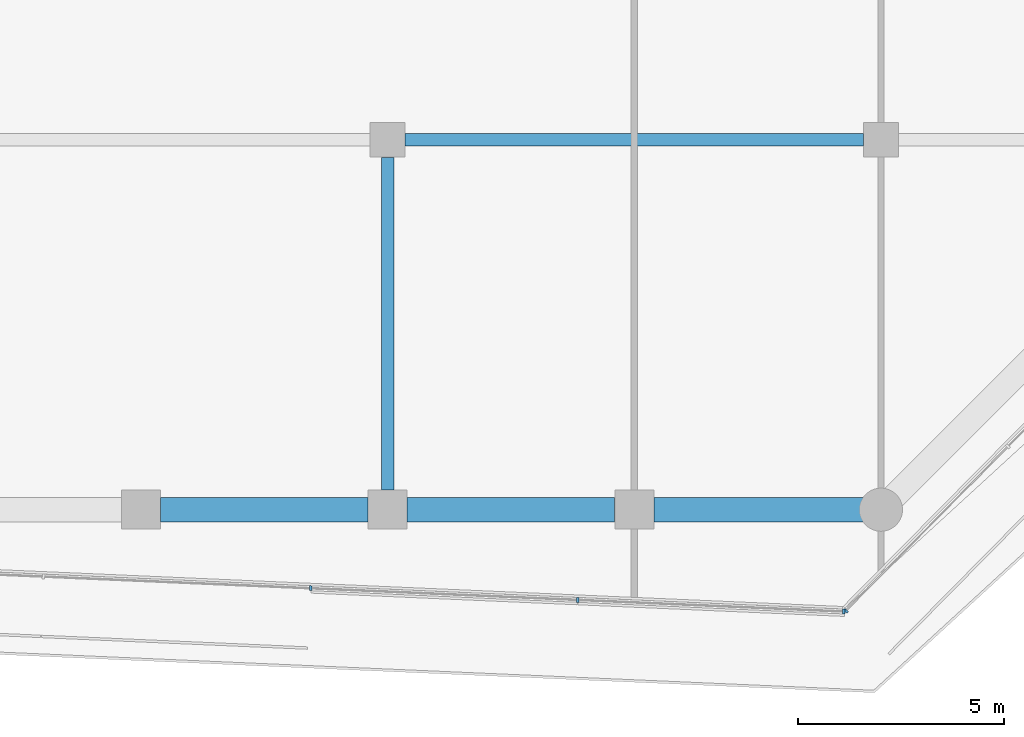
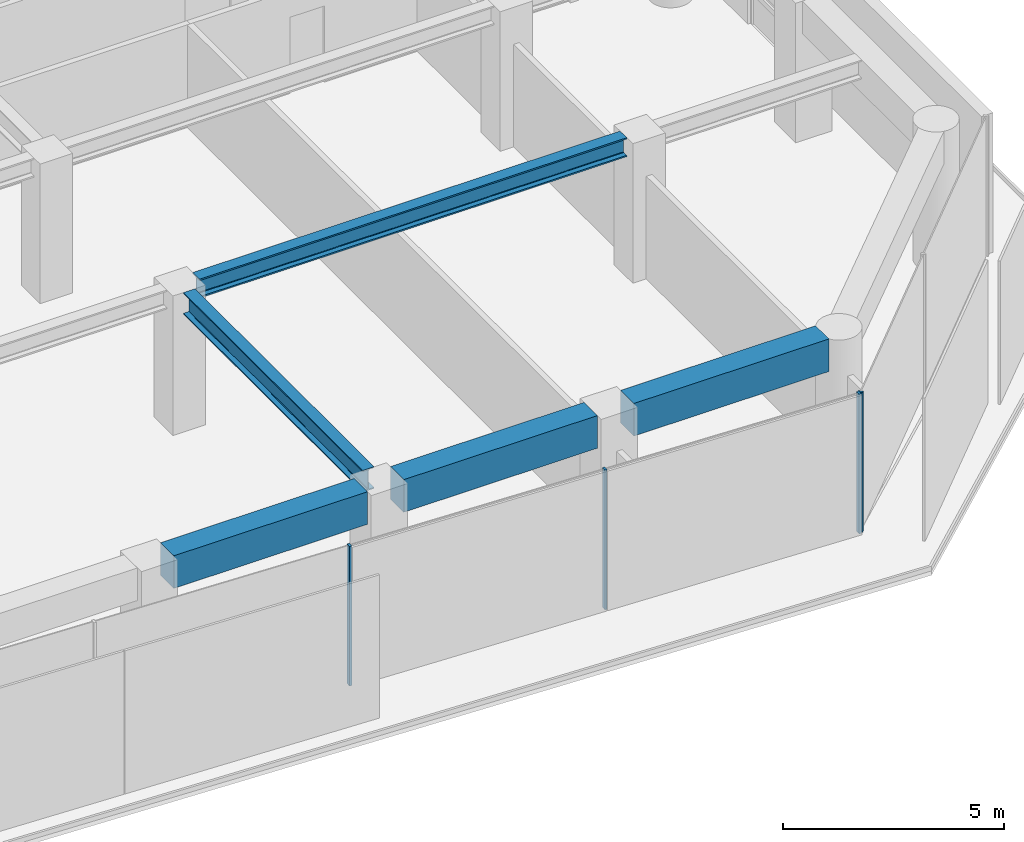
# One storey, part 8 of 29: 5 beams, 4 members, 2 elements without a shape of their own.
"""IFC4 building model written with IfcOpenShell, lengths in metres."""

from ifc_helpers import new_model, si_unit, direction, frame, origin, origin_2d, place, context, subcontext, project, spatial, rectangle, i_section, extrude, material, layer, layer_set, material_profile, profile_set, type_object, element, aggregate, save


model = new_model("IFC4")

# Units and contexts
model_context = context("Model", 3, precision=1e-05, world=origin(), true_north=direction((0.0, 1.0)))
body_context = subcontext(model_context, "Body", "Model", "MODEL_VIEW")
ifc_project = project(units=[si_unit("LENGTHUNIT", "METRE"), si_unit("AREAUNIT", "SQUARE_METRE"), si_unit("VOLUMEUNIT", "CUBIC_METRE"), si_unit("PLANEANGLEUNIT", "RADIAN"), si_unit("MASSUNIT", "GRAM", prefix="KILO")], contexts=[model_context])

# Site, building, storey
site_placement = place(None, origin())
site = spatial("IfcSite", under=ifc_project, at=site_placement, CompositionType="ELEMENT")
building_placement = place(site_placement, origin())
building = spatial("IfcBuilding", under=site, at=building_placement, Name="Welwitschia Terrace Campus", CompositionType="ELEMENT")
storey_placement = place(building_placement, frame((0.0, 0.0, 41.60009765625)))
storey = spatial("IfcBuildingStorey", under=building, at=storey_placement, Name="L09", CompositionType="ELEMENT", Elevation=41.60009765625)

# Beam
ifc_material_1 = material(Name="Steel S355", Category="steel")
ifc_material_profile_1 = material_profile(ifc_material_1, i_section(OverallWidth=0.305908203125, OverallDepth=0.52392578125, WebThickness=0.02099609375, FlangeThickness=0.0400390625, FilletRadius=0.027099609375, at=origin_2d()))
ifc_profile_set_1 = profile_set([ifc_material_profile_1], Name="Steel S355")
beam_type_1 = type_object("IfcBeamType", Name="Interior girder HE 500 M", PredefinedType="BEAM", material=ifc_profile_set_1)
beam_1_placement = place(storey_placement, frame((48.425537109375, 5.0, 3.587890625), z_axis=(1.0, 0.0, 0.0), x_axis=(0.0, 1.0, 0.0)))
element("IfcBeam", 1, at=beam_1_placement, inside=storey, type_object=beam_type_1, Name="Girder GB2", PredefinedType="BEAM", context=body_context, shape_type="SweptSolid", body=[
    extrude(i_section(OverallWidth=0.305908203125, OverallDepth=0.52392578125, WebThickness=0.02099609375, FlangeThickness=0.0400390625, FilletRadius=0.027099609375, at=origin_2d()), origin(), (0.0, 0.0, 1.0), 11.14892578125),
])

# Curtain wall, members
ifc_material_2 = material(Name="Bronze anodised aluminium", Category="aluminium")
ifc_layer = layer(ifc_material_2, 0.1201171875)
ifc_layer_set = layer_set([ifc_layer], Name="Bronze anodised aluminium")
curtain_wall_type = type_object("IfcCurtainWallType", Name="Curtain wall CW2 tower 6000", PredefinedType="NOTDEFINED", material=ifc_layer_set)
curtain_wall_1_placement = place(storey_placement, origin())
curtain_wall_1 = element("IfcCurtainWall", 2, at=curtain_wall_1_placement, inside=storey, type_object=curtain_wall_type, Name="CW L09.4.0", PredefinedType="NOTDEFINED")
ifc_material_3 = material(Name="Bronze anodised aluminium", Category="aluminium")
ifc_material_profile_2 = material_profile(ifc_material_3, rectangle(XDim=0.1201171875, YDim=0.06005859375, at=origin_2d()))
ifc_profile_set_2 = profile_set([ifc_material_profile_2], Name="Bronze anodised aluminium")
member_type = type_object("IfcMemberType", Name="Mullion 60x120", PredefinedType="MULLION", material=ifc_profile_set_2)
member_1_placement = place(storey_placement, frame((46.12744140625, -5.909423828125, 0.0), z_axis=(0.0, 0.0, 1.0), x_axis=(0.043619387365, 0.999048221582, 0.0)))
member_1 = element("IfcMember", 3, at=member_1_placement, type_object=member_type, Name="Mullion L09.4.0.3", PredefinedType="MULLION", context=body_context, shape_type="SweptSolid", body=[
    extrude(rectangle(XDim=0.1201171875, YDim=0.06005859375, at=origin_2d()), origin(), (0.0, 0.0, 1.0), 3.849853515625),
])
member_2_placement = place(storey_placement, frame((52.626953125, -6.193115234375, 0.0), z_axis=(0.0, 0.0, 1.0), x_axis=(0.043619387365, 0.999048221582, 0.0)))
member_2 = element("IfcMember", 4, at=member_2_placement, type_object=member_type, Name="Mullion L09.4.0.4", PredefinedType="MULLION", context=body_context, shape_type="SweptSolid", body=[
    extrude(rectangle(XDim=0.1201171875, YDim=0.06005859375, at=origin_2d()), origin(), (0.0, 0.0, 1.0), 3.849853515625),
])
member_3_placement = place(storey_placement, frame((59.0966796875, -6.4755859375, 0.0), z_axis=(0.0, 0.0, 1.0), x_axis=(0.043619387365, 0.999048221582, 0.0)))
member_3 = element("IfcMember", 5, at=member_3_placement, type_object=member_type, Name="Mullion L09.4.0.5", PredefinedType="MULLION", context=body_context, shape_type="SweptSolid", body=[
    extrude(rectangle(XDim=0.1201171875, YDim=0.06005859375, at=origin_2d()), origin(), (0.0, 0.0, 1.0), 3.849853515625),
])
aggregate(curtain_wall_1, [member_1, member_2, member_3])

# Curtain wall, member
curtain_wall_2_placement = place(storey_placement, origin())
curtain_wall_2 = element("IfcCurtainWall", 6, at=curtain_wall_2_placement, inside=storey, type_object=curtain_wall_type, Name="CW L09.5.0", PredefinedType="NOTDEFINED")
member_4_placement = place(storey_placement, frame((59.147705078125, -6.45556640625, 0.0), z_axis=(0.0, 0.0, 1.0), x_axis=(-0.711846830797, 0.702334741761, 0.0)))
member_4 = element("IfcMember", 7, at=member_4_placement, type_object=member_type, Name="Mullion L09.5.0.0", PredefinedType="MULLION", context=body_context, shape_type="SweptSolid", body=[
    extrude(rectangle(XDim=0.1201171875, YDim=0.06005859375, at=origin_2d()), origin(), (0.0, 0.0, 1.0), 3.849853515625),
])
aggregate(curtain_wall_2, [member_4])

# Beams
ifc_material_4 = material(Name="Steel S355", Category="steel")
ifc_material_profile_3 = material_profile(ifc_material_4, i_section(OverallWidth=0.300048828125, OverallDepth=0.60009765625, WebThickness=0.015380859375, FlangeThickness=0.030029296875, FilletRadius=0.027099609375, at=origin_2d()))
ifc_profile_set_3 = profile_set([ifc_material_profile_3], Name="Steel S355")
beam_type_2 = type_object("IfcBeamType", Name="Primary beam HE 600 B", PredefinedType="BEAM", material=ifc_profile_set_3)
beam_2_placement = place(storey_placement, frame((48.0, -3.5244140625, 3.5498046875), z_axis=(0.0, 1.0, 0.0), x_axis=(-1.0, 0.0, 0.0)))
element("IfcBeam", 8, at=beam_2_placement, inside=storey, type_object=beam_type_2, Name="Primary beam PB2", PredefinedType="BEAM", context=body_context, shape_type="SweptSolid", body=[
    extrude(i_section(OverallWidth=0.300048828125, OverallDepth=0.60009765625, WebThickness=0.015380859375, FlangeThickness=0.030029296875, FilletRadius=0.027099609375, at=origin_2d()), origin(), (0.0, 0.0, 1.0), 8.098876953125),
])
ifc_material_5 = material(Name="Concrete C60/75", Category="concrete")
ifc_material_profile_4 = material_profile(ifc_material_5, rectangle(XDim=0.60009765625, YDim=0.89990234375, at=origin_2d()))
ifc_profile_set_4 = profile_set([ifc_material_profile_4], Name="Concrete C60/75")
beam_type_3 = type_object("IfcBeamType", Name="Ring spandrel 600x900", PredefinedType="SPANDREL", material=ifc_profile_set_4)
for number, where, z_axis, x_axis, name in (
    (9, (42.4755859375, -4.0, 3.39990234375), (1.0, 0.0, 0.0), (0.0, 1.0, 0.0), "Spandrel SP2"),
    (10, (48.4755859375, -4.0, 3.39990234375), (1.0, 0.0, 0.0), (0.0, 1.0, 0.0), "Spandrel SP2"),
):
    element("IfcBeam", number, at=place(storey_placement, frame(where, z_axis=z_axis, x_axis=x_axis)), inside=storey, type_object=beam_type_3, Name=name, PredefinedType="SPANDREL", context=body_context, shape_type="SweptSolid", body=[
        extrude(rectangle(XDim=0.60009765625, YDim=0.89990234375, at=origin_2d()), origin(), (0.0, 0.0, 1.0), 5.048828125),
    ])
beam_3_placement = place(storey_placement, frame((54.4755859375, -4.0, 3.39990234375), z_axis=(1.0, 0.0, 0.0), x_axis=(0.0, 1.0, 0.0)))
element("IfcBeam", 11, at=beam_3_placement, inside=storey, type_object=beam_type_3, Name="Spandrel SP2", PredefinedType="SPANDREL", context=body_context, shape_type="SweptSolid", body=[
    extrude(rectangle(XDim=0.60009765625, YDim=0.89990234375, at=origin_2d()), origin(), (0.0, 0.0, 1.0), 5.093017578125),
])

save(model, "model.ifc")
